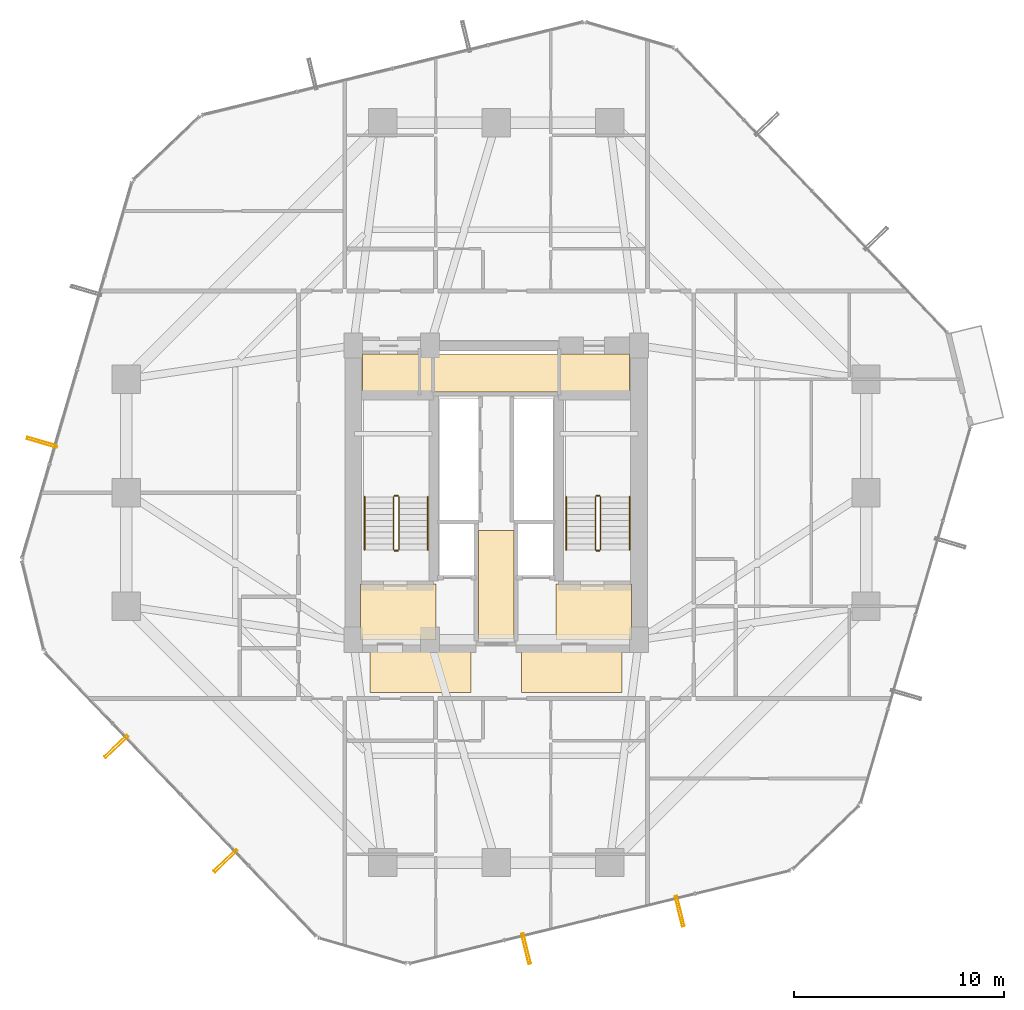
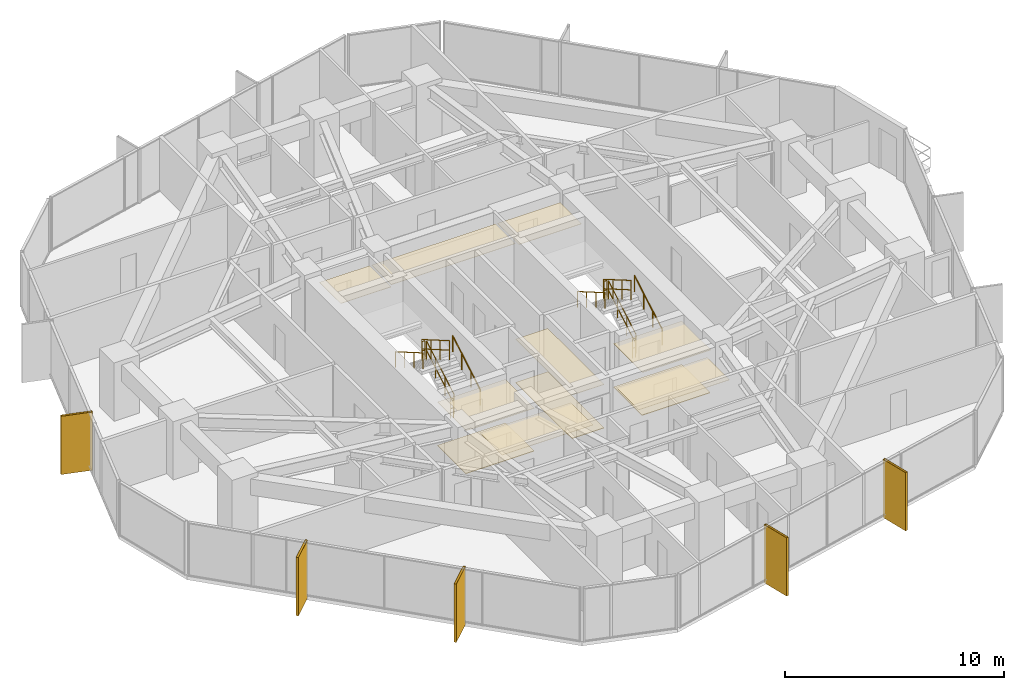
# One storey, part 36 of 37: 12 railings, 11 coverings, 5 shading devices.
"""IFC4 building model written with IfcOpenShell, lengths in metres."""

from ifc_helpers import new_model, si_unit, direction, frame, origin, origin_2d, place, context, subcontext, project, spatial, polyline, hollow_rectangle, circle, outline, extrude, material, layer, layer_set, material_profile, profile_set, type_object, element, save


model = new_model("IFC4")

# Units and contexts
model_context = context("Model", 3, precision=1e-05, world=origin(), true_north=direction((0.0, 1.0)))
body_context = subcontext(model_context, "Body", "Model", "MODEL_VIEW")
ifc_project = project(units=[si_unit("LENGTHUNIT", "METRE"), si_unit("AREAUNIT", "SQUARE_METRE"), si_unit("VOLUMEUNIT", "CUBIC_METRE"), si_unit("PLANEANGLEUNIT", "RADIAN"), si_unit("MASSUNIT", "GRAM", prefix="KILO")], contexts=[model_context])

# Site, building, storey
site_placement = place(None, origin())
site = spatial("IfcSite", under=ifc_project, at=site_placement, CompositionType="ELEMENT")
building_placement = place(site_placement, origin())
building = spatial("IfcBuilding", under=site, at=building_placement, Name="Veraguas Prism Commons", CompositionType="ELEMENT")
storey_placement = place(building_placement, frame((0.0, 0.0, 70.60009765625)))
storey = spatial("IfcBuildingStorey", under=building, at=storey_placement, Name="L19", CompositionType="ELEMENT", Elevation=70.60009765625)

# Shading devices
ifc_material_1 = material(Name="Anodised aluminium EN AW-6063 T6", Category="aluminium")
ifc_material_profile = material_profile(ifc_material_1, hollow_rectangle(XDim=0.1201171875, YDim=1.489990234375, WallThickness=0.006103515625, at=origin_2d()), Name="FIN120X1490X6")
ifc_profile_set = profile_set([ifc_material_profile], Name="Anodised aluminium EN AW-6063 T6")
shading_device_type = type_object("IfcShadingDeviceType", Name="Deep Pale-Metal Vertical Solar Fin 120x1490", PredefinedType="USERDEFINED", material=ifc_profile_set)
for number, where, z_axis, x_axis, name in (
    (1, (2.39453125, 26.391845703125, -0.22998046875), (0.0, 0.0, 1.0), (-0.28032998123, -0.959903693932, 0.0), "Vertical Pale-Metal Solar Fin L19-F3B"),
    (2, (5.927490234375, 11.9208984375, -0.22998046875), (0.0, 0.0, 1.0), (0.691135993516, -0.722724732154, 0.0), "Vertical Pale-Metal Solar Fin L19-F4A"),
    (3, (11.1259765625, 6.485107421875, -0.22998046875), (0.0, 0.0, 1.0), (0.691135993516, -0.722724732154, 0.0), "Vertical Pale-Metal Solar Fin L19-F4B"),
    (4, (25.42431640625, 2.309326171875, -0.22998046875), (0.0, 0.0, 1.0), (0.97146556079, 0.237180657305, 0.0), "Vertical Pale-Metal Solar Fin L19-F5A"),
    (5, (32.731201171875, 4.09326171875, -0.22998046875), (0.0, 0.0, 1.0), (0.97146556079, 0.237180657305, 0.0), "Vertical Pale-Metal Solar Fin L19-F5B"),
):
    element("IfcShadingDevice", number, at=place(storey_placement, frame(where, z_axis=z_axis, x_axis=x_axis)), inside=storey, type_object=shading_device_type, Name=name, ObjectType="FIN", PredefinedType="USERDEFINED", context=body_context, shape_type="SweptSolid", body=[
        extrude(hollow_rectangle(XDim=0.1201171875, YDim=1.489990234375, WallThickness=0.006103515625, at=origin_2d()), origin(), (0.0, 0.0, 1.0), 3.25),
    ])

# Coverings
ifc_material_2 = material(Name="Acoustic gypsum board")
ifc_layer_1 = layer(ifc_material_2, 0.02490234375, Name="Perforated Acoustic Ceiling Tile 25")
ifc_layer_set_1 = layer_set([ifc_layer_1], Name="Acoustic gypsum board")
covering_type_1 = type_object("IfcCoveringType", Name="Perforated Acoustic Ceiling Tile 25", PredefinedType="USERDEFINED", material=ifc_layer_set_1)
covering_1_placement = place(storey_placement, frame((0.0, 0.0, 2.4248046875)))
element("IfcCovering", 6, at=covering_1_placement, inside=storey, type_object=covering_type_1, Name="East Lobby Acoustic Ceiling L19", ObjectType="ACOUSTIC CEILING", PredefinedType="USERDEFINED", context=body_context, shape_type="SweptSolid", body=[
    extrude(outline(polyline([(26.85009765625, 17.0), (30.449951171875, 17.0), (30.449951171875, 19.64990234375), (26.85009765625, 19.64990234375), (26.85009765625, 17.0)])), origin(), (0.0, 0.0, 1.0), 0.025146484375),
])
ifc_material_3 = material(Name="Terrazzo stone finish", Category="masonry")
ifc_layer_2 = layer(ifc_material_3, 0.030029296875, Name="Polished Terrazzo Floor Finish 30", Category="masonry")
ifc_layer_set_2 = layer_set([ifc_layer_2], Name="Terrazzo stone finish")
covering_type_2 = type_object("IfcCoveringType", Name="Polished Terrazzo Floor Finish 30", PredefinedType="FLOORING", material=ifc_layer_set_2)
covering_2_placement = place(storey_placement, origin())
element("IfcCovering", 7, at=covering_2_placement, inside=storey, type_object=covering_type_2, Name="Terrazzo Lobby Flooring L19", PredefinedType="FLOORING", context=body_context, shape_type="SweptSolid", body=[
    extrude(outline(polyline([(23.14990234375, 17.050048828125), (24.85009765625, 17.050048828125), (24.85009765625, 22.199951171875), (23.14990234375, 22.199951171875), (23.14990234375, 17.050048828125)])), origin(), (0.0, 0.0, 1.0), 0.02978515625),
])
covering_3_placement = place(storey_placement, origin())
element("IfcCovering", 8, at=covering_3_placement, inside=storey, type_object=covering_type_2, Name="West FF Lobby Terrazzo Flooring L19", PredefinedType="FLOORING", context=body_context, shape_type="SweptSolid", body=[
    extrude(outline(polyline([(17.550048828125, 17.050048828125), (21.14990234375, 17.050048828125), (21.14990234375, 19.64990234375), (17.550048828125, 19.64990234375), (17.550048828125, 17.050048828125)])), origin(), (0.0, 0.0, 1.0), 0.02978515625),
])
covering_4_placement = place(storey_placement, origin())
element("IfcCovering", 9, at=covering_4_placement, inside=storey, type_object=covering_type_2, Name="East FF Lobby Terrazzo Flooring L19", PredefinedType="FLOORING", context=body_context, shape_type="SweptSolid", body=[
    extrude(outline(polyline([(26.85009765625, 17.050048828125), (30.449951171875, 17.050048828125), (30.449951171875, 19.64990234375), (26.85009765625, 19.64990234375), (26.85009765625, 17.050048828125)])), origin(), (0.0, 0.0, 1.0), 0.02978515625),
])

# Railings
ifc_material_4 = material(Name="Stainless steel AISI 316", Category="steel")
railing_type_1 = type_object("IfcRailingType", Name="Stair and Ramp Stainless Handrail 900", PredefinedType="HANDRAIL", material=ifc_material_4)
railing_1_placement = place(storey_placement, frame((20.75, 21.280029296875, 0.162353515625)))
element("IfcRailing", 10, at=railing_1_placement, inside=storey, type_object=railing_type_1, Name="Stair Handrail ST-01 L19-1", PredefinedType="HANDRAIL", context=body_context, shape_type="SweptSolid", body=[
    extrude(circle(Radius=0.02392578125, at=origin_2d()), frame((0.0, 0.0, 0.8759765625), z_axis=(0.0, 0.864876961378, 0.501983905795), x_axis=(-1.0, 0.0, 0.0)), (0.0, 0.0, 1.0), 2.913818359375),
    extrude(circle(Radius=0.02099609375, at=origin_2d()), origin(), (0.0, 0.0, 1.0), 0.851806640625),
    extrude(circle(Radius=0.02099609375, at=origin_2d()), frame((0.0, 0.840087890625, 0.487548828125)), (0.0, 0.0, 1.0), 0.851806640625),
    extrude(circle(Radius=0.02099609375, at=origin_2d()), frame((0.0, 1.679931640625, 0.97509765625)), (0.0, 0.0, 1.0), 0.851806640625),
    extrude(circle(Radius=0.02099609375, at=origin_2d()), frame((0.0, 2.52001953125, 1.462646484375)), (0.0, 0.0, 1.0), 0.851806640625),
])
railing_2_placement = place(storey_placement, frame((17.739990234375, 23.800048828125, 1.787353515625)))
element("IfcRailing", 11, at=railing_2_placement, inside=storey, type_object=railing_type_1, Name="Stair Handrail ST-01 L19-2", PredefinedType="HANDRAIL", context=body_context, shape_type="SweptSolid", body=[
    extrude(circle(Radius=0.02392578125, at=origin_2d()), frame((0.0, 0.0, 0.8759765625), z_axis=(0.0, -0.864876961378, 0.501983905795), x_axis=(1.0, 0.0, 0.0)), (0.0, 0.0, 1.0), 2.913818359375),
    extrude(circle(Radius=0.02099609375, at=origin_2d()), origin(), (0.0, 0.0, 1.0), 0.851806640625),
    extrude(circle(Radius=0.02099609375, at=origin_2d()), frame((0.0, -0.840087890625, 0.487548828125)), (0.0, 0.0, 1.0), 0.851806640625),
    extrude(circle(Radius=0.02099609375, at=origin_2d()), frame((0.0, -1.679931640625, 0.97509765625)), (0.0, 0.0, 1.0), 0.851806640625),
    extrude(circle(Radius=0.02099609375, at=origin_2d()), frame((0.0, -2.52001953125, 1.462646484375)), (0.0, 0.0, 1.0), 0.851806640625),
])
railing_3_placement = place(storey_placement, frame((30.35009765625, 21.280029296875, 0.162353515625)))
element("IfcRailing", 12, at=railing_3_placement, inside=storey, type_object=railing_type_1, Name="Stair Handrail ST-02 L19-1", PredefinedType="HANDRAIL", context=body_context, shape_type="SweptSolid", body=[
    extrude(circle(Radius=0.02392578125, at=origin_2d()), frame((0.0, 0.0, 0.8759765625), z_axis=(0.0, 0.864876961378, 0.501983905795), x_axis=(-1.0, 0.0, 0.0)), (0.0, 0.0, 1.0), 2.913818359375),
    extrude(circle(Radius=0.02099609375, at=origin_2d()), origin(), (0.0, 0.0, 1.0), 0.851806640625),
    extrude(circle(Radius=0.02099609375, at=origin_2d()), frame((0.0, 0.840087890625, 0.487548828125)), (0.0, 0.0, 1.0), 0.851806640625),
    extrude(circle(Radius=0.02099609375, at=origin_2d()), frame((0.0, 1.679931640625, 0.97509765625)), (0.0, 0.0, 1.0), 0.851806640625),
    extrude(circle(Radius=0.02099609375, at=origin_2d()), frame((0.0, 2.52001953125, 1.462646484375)), (0.0, 0.0, 1.0), 0.851806640625),
])
railing_4_placement = place(storey_placement, frame((27.340087890625, 23.800048828125, 1.787353515625)))
element("IfcRailing", 13, at=railing_4_placement, inside=storey, type_object=railing_type_1, Name="Stair Handrail ST-02 L19-2", PredefinedType="HANDRAIL", context=body_context, shape_type="SweptSolid", body=[
    extrude(circle(Radius=0.02392578125, at=origin_2d()), frame((0.0, 0.0, 0.8759765625), z_axis=(0.0, -0.864876961378, 0.501983905795), x_axis=(1.0, 0.0, 0.0)), (0.0, 0.0, 1.0), 2.913818359375),
    extrude(circle(Radius=0.02099609375, at=origin_2d()), origin(), (0.0, 0.0, 1.0), 0.851806640625),
    extrude(circle(Radius=0.02099609375, at=origin_2d()), frame((0.0, -0.840087890625, 0.487548828125)), (0.0, 0.0, 1.0), 0.851806640625),
    extrude(circle(Radius=0.02099609375, at=origin_2d()), frame((0.0, -1.679931640625, 0.97509765625)), (0.0, 0.0, 1.0), 0.851806640625),
    extrude(circle(Radius=0.02099609375, at=origin_2d()), frame((0.0, -2.52001953125, 1.462646484375)), (0.0, 0.0, 1.0), 0.851806640625),
])
railing_type_2 = type_object("IfcRailingType", Name="Stairwell Safety Guardrail 1100", PredefinedType="GUARDRAIL", material=ifc_material_4)
railing_5_placement = place(storey_placement, frame((19.3701171875, 21.280029296875, 0.162353515625)))
element("IfcRailing", 14, at=railing_5_placement, inside=storey, type_object=railing_type_2, Name="Stair Guard ST-01 L19-1", PredefinedType="GUARDRAIL", context=body_context, shape_type="SweptSolid", body=[
    extrude(circle(Radius=0.02392578125, at=origin_2d()), frame((0.0, 0.0, 1.076171875), z_axis=(0.0, 0.864876961378, 0.501983905795), x_axis=(-1.0, 0.0, 0.0)), (0.0, 0.0, 1.0), 2.913818359375),
    extrude(circle(Radius=0.02392578125, at=origin_2d()), frame((0.0, 0.0, 0.550048828125), z_axis=(0.0, 0.864876961378, 0.501983905795), x_axis=(-1.0, 0.0, 0.0)), (0.0, 0.0, 1.0), 2.913818359375),
    extrude(circle(Radius=0.02099609375, at=origin_2d()), origin(), (0.0, 0.0, 1.0), 1.052001953125),
    extrude(circle(Radius=0.02099609375, at=origin_2d()), frame((0.0, 0.840087890625, 0.487548828125)), (0.0, 0.0, 1.0), 1.052001953125),
    extrude(circle(Radius=0.02099609375, at=origin_2d()), frame((0.0, 1.679931640625, 0.97509765625)), (0.0, 0.0, 1.0), 1.052001953125),
    extrude(circle(Radius=0.02099609375, at=origin_2d()), frame((0.0, 2.52001953125, 1.462646484375)), (0.0, 0.0, 1.0), 1.052001953125),
])
railing_6_placement = place(storey_placement, frame((19.320068359375, 23.85009765625, 1.625)))
element("IfcRailing", 15, at=railing_6_placement, inside=storey, type_object=railing_type_2, Name="Stair Guard ST-01 L19-2", PredefinedType="GUARDRAIL", context=body_context, shape_type="SweptSolid", body=[
    extrude(circle(Radius=0.02392578125, at=origin_2d()), frame((0.0, 0.0, 1.076171875), z_axis=(-1.0, 0.0, 0.0), x_axis=(0.0, -1.0, 0.0)), (0.0, 0.0, 1.0), 0.150146484375),
    extrude(circle(Radius=0.02392578125, at=origin_2d()), frame((0.0, 0.0, 0.550048828125), z_axis=(-1.0, 0.0, 0.0), x_axis=(0.0, -1.0, 0.0)), (0.0, 0.0, 1.0), 0.150146484375),
    extrude(circle(Radius=0.02099609375, at=origin_2d()), origin(), (0.0, 0.0, 1.0), 1.052001953125),
    extrude(circle(Radius=0.02099609375, at=origin_2d()), frame((-0.150146484375, 0.0, 0.0)), (0.0, 0.0, 1.0), 1.052001953125),
])
railing_7_placement = place(storey_placement, frame((19.1201171875, 23.800048828125, 1.787353515625)))
element("IfcRailing", 16, at=railing_7_placement, inside=storey, type_object=railing_type_2, Name="Stair Guard ST-01 L19-3", PredefinedType="GUARDRAIL", context=body_context, shape_type="SweptSolid", body=[
    extrude(circle(Radius=0.02392578125, at=origin_2d()), frame((0.0, 0.0, 1.076171875), z_axis=(0.0, -0.864876961378, 0.501983905795), x_axis=(1.0, 0.0, 0.0)), (0.0, 0.0, 1.0), 2.913818359375),
    extrude(circle(Radius=0.02392578125, at=origin_2d()), frame((0.0, 0.0, 0.550048828125), z_axis=(0.0, -0.864876961378, 0.501983905795), x_axis=(1.0, 0.0, 0.0)), (0.0, 0.0, 1.0), 2.913818359375),
    extrude(circle(Radius=0.02099609375, at=origin_2d()), origin(), (0.0, 0.0, 1.0), 1.052001953125),
    extrude(circle(Radius=0.02099609375, at=origin_2d()), frame((0.0, -0.840087890625, 0.487548828125)), (0.0, 0.0, 1.0), 1.052001953125),
    extrude(circle(Radius=0.02099609375, at=origin_2d()), frame((0.0, -1.679931640625, 0.97509765625)), (0.0, 0.0, 1.0), 1.052001953125),
    extrude(circle(Radius=0.02099609375, at=origin_2d()), frame((0.0, -2.52001953125, 1.462646484375)), (0.0, 0.0, 1.0), 1.052001953125),
])
railing_8_placement = place(storey_placement, frame((19.320068359375, 21.22998046875, 0.0)))
element("IfcRailing", 17, at=railing_8_placement, inside=storey, type_object=railing_type_2, Name="Stair Guard ST-01 L19-4", PredefinedType="GUARDRAIL", context=body_context, shape_type="SweptSolid", body=[
    extrude(circle(Radius=0.02392578125, at=origin_2d()), frame((0.0, 0.0, 1.076171875), z_axis=(-1.0, 0.0, 0.0), x_axis=(0.0, -1.0, 0.0)), (0.0, 0.0, 1.0), 0.150146484375),
    extrude(circle(Radius=0.02392578125, at=origin_2d()), frame((0.0, 0.0, 0.550048828125), z_axis=(-1.0, 0.0, 0.0), x_axis=(0.0, -1.0, 0.0)), (0.0, 0.0, 1.0), 0.150146484375),
    extrude(circle(Radius=0.02099609375, at=origin_2d()), origin(), (0.0, 0.0, 1.0), 1.052001953125),
    extrude(circle(Radius=0.02099609375, at=origin_2d()), frame((-0.150146484375, 0.0, 0.0)), (0.0, 0.0, 1.0), 1.052001953125),
])
railing_9_placement = place(storey_placement, frame((28.969970703125, 21.280029296875, 0.162353515625)))
element("IfcRailing", 18, at=railing_9_placement, inside=storey, type_object=railing_type_2, Name="Stair Guard ST-02 L19-1", PredefinedType="GUARDRAIL", context=body_context, shape_type="SweptSolid", body=[
    extrude(circle(Radius=0.02392578125, at=origin_2d()), frame((0.0, 0.0, 1.076171875), z_axis=(0.0, 0.864876961378, 0.501983905795), x_axis=(-1.0, 0.0, 0.0)), (0.0, 0.0, 1.0), 2.913818359375),
    extrude(circle(Radius=0.02392578125, at=origin_2d()), frame((0.0, 0.0, 0.550048828125), z_axis=(0.0, 0.864876961378, 0.501983905795), x_axis=(-1.0, 0.0, 0.0)), (0.0, 0.0, 1.0), 2.913818359375),
    extrude(circle(Radius=0.02099609375, at=origin_2d()), origin(), (0.0, 0.0, 1.0), 1.052001953125),
    extrude(circle(Radius=0.02099609375, at=origin_2d()), frame((0.0, 0.840087890625, 0.487548828125)), (0.0, 0.0, 1.0), 1.052001953125),
    extrude(circle(Radius=0.02099609375, at=origin_2d()), frame((0.0, 1.679931640625, 0.97509765625)), (0.0, 0.0, 1.0), 1.052001953125),
    extrude(circle(Radius=0.02099609375, at=origin_2d()), frame((0.0, 2.52001953125, 1.462646484375)), (0.0, 0.0, 1.0), 1.052001953125),
])
railing_10_placement = place(storey_placement, frame((28.919921875, 23.85009765625, 1.625)))
element("IfcRailing", 19, at=railing_10_placement, inside=storey, type_object=railing_type_2, Name="Stair Guard ST-02 L19-2", PredefinedType="GUARDRAIL", context=body_context, shape_type="SweptSolid", body=[
    extrude(circle(Radius=0.02392578125, at=origin_2d()), frame((0.0, 0.0, 1.076171875), z_axis=(-1.0, 0.0, 0.0), x_axis=(0.0, -1.0, 0.0)), (0.0, 0.0, 1.0), 0.14990234375),
    extrude(circle(Radius=0.02392578125, at=origin_2d()), frame((0.0, 0.0, 0.550048828125), z_axis=(-1.0, 0.0, 0.0), x_axis=(0.0, -1.0, 0.0)), (0.0, 0.0, 1.0), 0.14990234375),
    extrude(circle(Radius=0.02099609375, at=origin_2d()), origin(), (0.0, 0.0, 1.0), 1.052001953125),
    extrude(circle(Radius=0.02099609375, at=origin_2d()), frame((-0.14990234375, 0.0, 0.0)), (0.0, 0.0, 1.0), 1.052001953125),
])
railing_11_placement = place(storey_placement, frame((28.719970703125, 23.800048828125, 1.787353515625)))
element("IfcRailing", 20, at=railing_11_placement, inside=storey, type_object=railing_type_2, Name="Stair Guard ST-02 L19-3", PredefinedType="GUARDRAIL", context=body_context, shape_type="SweptSolid", body=[
    extrude(circle(Radius=0.02392578125, at=origin_2d()), frame((0.0, 0.0, 1.076171875), z_axis=(0.0, -0.864876961378, 0.501983905795), x_axis=(1.0, 0.0, 0.0)), (0.0, 0.0, 1.0), 2.913818359375),
    extrude(circle(Radius=0.02392578125, at=origin_2d()), frame((0.0, 0.0, 0.550048828125), z_axis=(0.0, -0.864876961378, 0.501983905795), x_axis=(1.0, 0.0, 0.0)), (0.0, 0.0, 1.0), 2.913818359375),
    extrude(circle(Radius=0.02099609375, at=origin_2d()), origin(), (0.0, 0.0, 1.0), 1.052001953125),
    extrude(circle(Radius=0.02099609375, at=origin_2d()), frame((0.0, -0.840087890625, 0.487548828125)), (0.0, 0.0, 1.0), 1.052001953125),
    extrude(circle(Radius=0.02099609375, at=origin_2d()), frame((0.0, -1.679931640625, 0.97509765625)), (0.0, 0.0, 1.0), 1.052001953125),
    extrude(circle(Radius=0.02099609375, at=origin_2d()), frame((0.0, -2.52001953125, 1.462646484375)), (0.0, 0.0, 1.0), 1.052001953125),
])
railing_12_placement = place(storey_placement, frame((28.919921875, 21.22998046875, 0.0)))
element("IfcRailing", 21, at=railing_12_placement, inside=storey, type_object=railing_type_2, Name="Stair Guard ST-02 L19-4", PredefinedType="GUARDRAIL", context=body_context, shape_type="SweptSolid", body=[
    extrude(circle(Radius=0.02392578125, at=origin_2d()), frame((0.0, 0.0, 1.076171875), z_axis=(-1.0, 0.0, 0.0), x_axis=(0.0, -1.0, 0.0)), (0.0, 0.0, 1.0), 0.14990234375),
    extrude(circle(Radius=0.02392578125, at=origin_2d()), frame((0.0, 0.0, 0.550048828125), z_axis=(-1.0, 0.0, 0.0), x_axis=(0.0, -1.0, 0.0)), (0.0, 0.0, 1.0), 0.14990234375),
    extrude(circle(Radius=0.02099609375, at=origin_2d()), origin(), (0.0, 0.0, 1.0), 1.052001953125),
    extrude(circle(Radius=0.02099609375, at=origin_2d()), frame((-0.14990234375, 0.0, 0.0)), (0.0, 0.0, 1.0), 1.052001953125),
])

# Coverings
ifc_layer_3 = layer(ifc_material_2, 0.02001953125, Name="Suspended Gypsum Ceiling 20")
ifc_layer_set_3 = layer_set([ifc_layer_3], Name="Acoustic gypsum board")
covering_type_3 = type_object("IfcCoveringType", Name="Suspended Gypsum Ceiling 20", PredefinedType="CEILING", material=ifc_layer_set_3)
covering_5_placement = place(storey_placement, frame((0.0, 0.0, 2.429931640625)))
element("IfcCovering", 22, at=covering_5_placement, inside=storey, type_object=covering_type_3, Name="West Lobby Suspended Gypsum Ceiling L19", PredefinedType="CEILING", context=body_context, shape_type="SweptSolid", body=[
    extrude(outline(polyline([(17.550048828125, 17.0), (21.14990234375, 17.0), (21.14990234375, 19.64990234375), (17.550048828125, 19.64990234375), (17.550048828125, 17.0)])), origin(), (0.0, 0.0, 1.0), 0.02001953125),
])
covering_6_placement = place(storey_placement, frame((0.0, 0.0, 2.429931640625)))
element("IfcCovering", 23, at=covering_6_placement, inside=storey, type_object=covering_type_3, Name="Core Lobby Acoustic Ceiling L19-1", PredefinedType="CEILING", context=body_context, shape_type="SweptSolid", body=[
    extrude(outline(polyline([(18.0, 14.5), (22.800048828125, 14.5), (22.800048828125, 16.550048828125), (18.0, 16.550048828125), (18.0, 14.5)])), origin(), (0.0, 0.0, 1.0), 0.02001953125),
])
covering_7_placement = place(storey_placement, frame((0.0, 0.0, 2.429931640625)))
element("IfcCovering", 24, at=covering_7_placement, inside=storey, type_object=covering_type_3, Name="Core Lobby Acoustic Ceiling L19-2", PredefinedType="CEILING", context=body_context, shape_type="SweptSolid", body=[
    extrude(outline(polyline([(25.199951171875, 14.5), (30.0, 14.5), (30.0, 16.550048828125), (25.199951171875, 16.550048828125), (25.199951171875, 14.5)])), origin(), (0.0, 0.0, 1.0), 0.02001953125),
])
covering_8_placement = place(storey_placement, frame((0.0, 0.0, 2.429931640625)))
element("IfcCovering", 25, at=covering_8_placement, inside=storey, type_object=covering_type_3, Name="Core Lobby Acoustic Ceiling L19-3", PredefinedType="CEILING", context=body_context, shape_type="SweptSolid", body=[
    extrude(outline(polyline([(23.14990234375, 17.050048828125), (24.85009765625, 17.050048828125), (24.85009765625, 22.199951171875), (23.14990234375, 22.199951171875), (23.14990234375, 17.050048828125)])), origin(), (0.0, 0.0, 1.0), 0.02001953125),
])
covering_9_placement = place(storey_placement, frame((0.0, 0.0, 2.429931640625)))
element("IfcCovering", 26, at=covering_9_placement, inside=storey, type_object=covering_type_3, Name="Core Lobby Acoustic Ceiling L19-4", PredefinedType="CEILING", context=body_context, shape_type="SweptSolid", body=[
    extrude(outline(polyline([(17.64990234375, 28.64990234375), (20.300048828125, 28.64990234375), (20.300048828125, 30.60009765625), (17.64990234375, 30.60009765625), (17.64990234375, 28.64990234375)])), origin(), (0.0, 0.0, 1.0), 0.02001953125),
])
covering_10_placement = place(storey_placement, frame((0.0, 0.0, 2.429931640625)))
element("IfcCovering", 27, at=covering_10_placement, inside=storey, type_object=covering_type_3, Name="Core Lobby Acoustic Ceiling L19-5", PredefinedType="CEILING", context=body_context, shape_type="SweptSolid", body=[
    extrude(outline(polyline([(27.050048828125, 28.64990234375), (30.35009765625, 28.64990234375), (30.35009765625, 30.60009765625), (27.050048828125, 30.60009765625), (27.050048828125, 28.64990234375)])), origin(), (0.0, 0.0, 1.0), 0.02001953125),
])
covering_11_placement = place(storey_placement, frame((0.0, 0.0, 2.429931640625)))
element("IfcCovering", 28, at=covering_11_placement, inside=storey, type_object=covering_type_3, Name="Core Lobby Acoustic Ceiling L19-6", PredefinedType="CEILING", context=body_context, shape_type="SweptSolid", body=[
    extrude(outline(polyline([(20.39990234375, 28.800048828125), (26.949951171875, 28.800048828125), (26.949951171875, 30.60009765625), (20.39990234375, 30.60009765625), (20.39990234375, 28.800048828125)])), origin(), (0.0, 0.0, 1.0), 0.02001953125),
])

save(model, "model.ifc")
